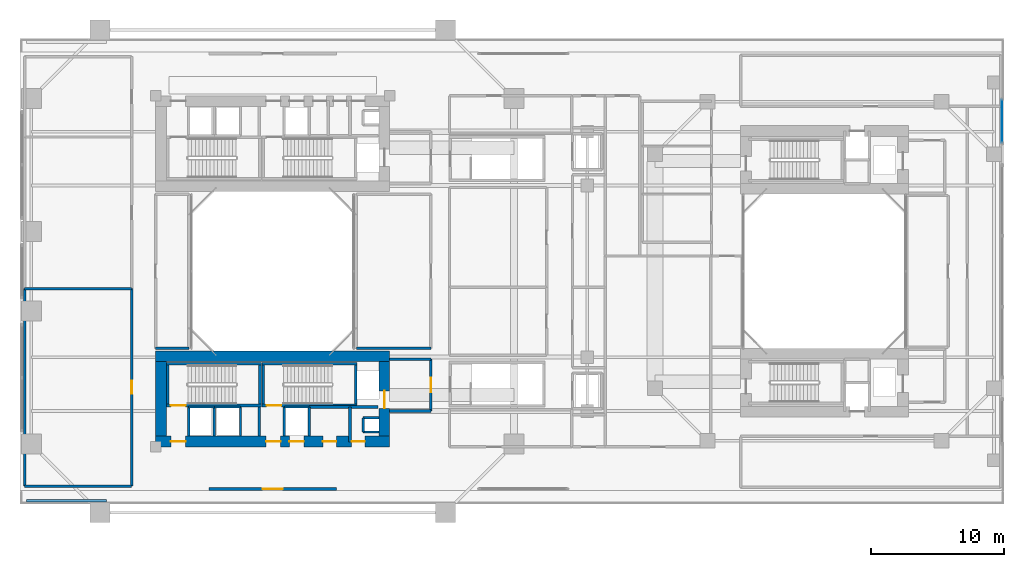
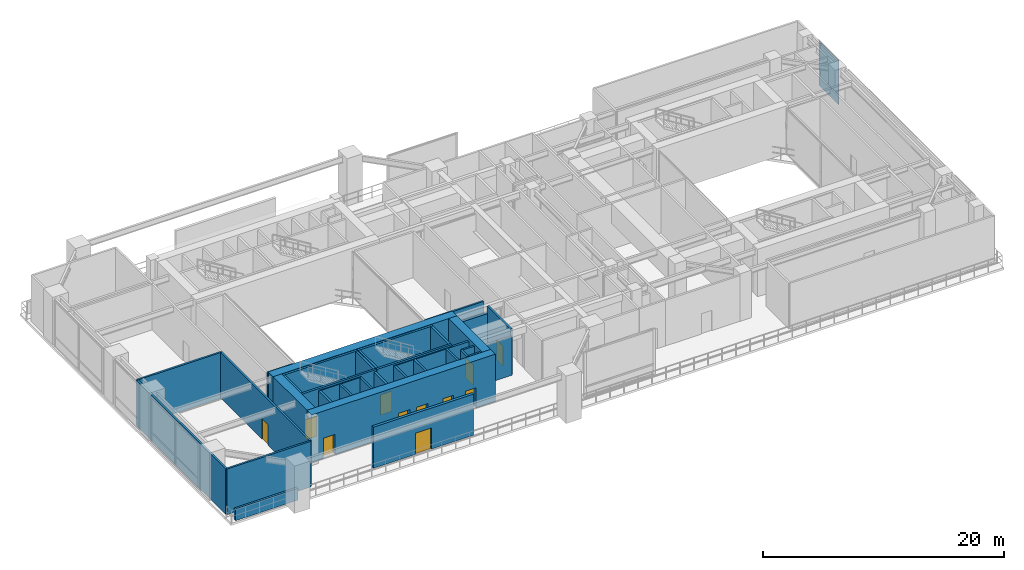
# One storey, part 11 of 19: 37 walls, 11 doors, 2 plates, 11 openings, 1 element without a shape of its own.
"""IFC4 building model written with IfcOpenShell, lengths in metres."""

from ifc_helpers import new_model, si_unit, direction, frame, frame_2d, origin, origin_2d, place, context, subcontext, project, spatial, rectangle, extrude, source, transform, mapped, material, layer, layer_set, type_object, element, fill, aggregate, save


model = new_model("IFC4")

# Units and contexts
model_context = context("Model", 3, precision=1e-05, world=origin(), true_north=direction((0.0, 1.0)))
body_context = subcontext(model_context, "Body", "Model", "MODEL_VIEW")
ifc_project = project(units=[si_unit("LENGTHUNIT", "METRE"), si_unit("AREAUNIT", "SQUARE_METRE"), si_unit("VOLUMEUNIT", "CUBIC_METRE"), si_unit("PLANEANGLEUNIT", "RADIAN"), si_unit("MASSUNIT", "GRAM", prefix="KILO"), si_unit("THERMODYNAMICTEMPERATUREUNIT", "KELVIN"), si_unit("POWERUNIT", "WATT")], contexts=[model_context])

# Site, building, storey
site_placement = place(None, origin())
site = spatial("IfcSite", under=ifc_project, at=site_placement, CompositionType="ELEMENT")
building_placement = place(site_placement, origin())
building = spatial("IfcBuilding", under=site, at=building_placement, Name="Qiaomeng Ring Towers", CompositionType="ELEMENT")
storey_placement = place(building_placement, frame((0.0, 0.0, 18.199951171875)))
storey = spatial("IfcBuildingStorey", under=building, at=storey_placement, Name="L04", CompositionType="ELEMENT", Elevation=18.199951171875)

# Curtain wall, plates
ifc_material_1 = material(Name="Fluorocarbon dark-grey aluminium", Category="aluminium")
ifc_layer_1 = layer(ifc_material_1, 0.179931640625, Name="Fluorocarbon dark-grey aluminium")
ifc_layer_set_1 = layer_set([ifc_layer_1], Name="Fluorocarbon dark-grey aluminium")
curtain_wall_type = type_object("IfcCurtainWallType", Name="ARC-CW-1", PredefinedType="NOTDEFINED", material=ifc_layer_set_1)
curtain_wall_placement = place(storey_placement, origin())
curtain_wall = element("IfcCurtainWall", 1, at=curtain_wall_placement, inside=storey, type_object=curtain_wall_type, Name="L04 Curtain Wall CW1", PredefinedType="NOTDEFINED")
ifc_material_2 = material(Name="Low-E pale-green laminated safety glass", Category="glass")
ifc_layer_2 = layer(ifc_material_2, 0.031982421875, Name="Low-E pale-green laminated safety glass")
ifc_layer_set_2 = layer_set([ifc_layer_2], Name="Low-E pale-green laminated safety glass")
plate_type = type_object("IfcPlateType", Name="ARC-CWP-GREEN", PredefinedType="CURTAIN_PANEL", material=ifc_layer_set_2)
shared_shape_1 = source(origin(), body_context, "Body", "SweptSolid", [
    extrude(rectangle(XDim=3.25, YDim=0.031982421875, at=origin_2d()), origin(), (0.0, 0.0, 1.0), 0.945068359375),
])
plate_1_placement = place(storey_placement, frame((73.85009765625, 34.294921875, 0.06982421875), z_axis=(0.0, 0.0, 1.0), x_axis=(0.0, 1.0, 0.0)))
plate_1 = element("IfcPlate", 2, at=plate_1_placement, type_object=plate_type, Name="CW1 panel 1.1", PredefinedType="CURTAIN_PANEL", context=body_context, shape_type="MappedRepresentation", body=[
    mapped(shared_shape_1, transform((0.0, 0.0, 0.0), x_axis=(1.0, 0.0, 0.0), y_axis=(0.0, 1.0, 0.0), z_axis=(0.0, 0.0, 1.0), scale=1.0)),
])
shared_shape_2 = source(origin(), body_context, "Body", "SweptSolid", [
    extrude(rectangle(XDim=3.25, YDim=0.031982421875, at=origin_2d()), origin(), (0.0, 0.0, 1.0), 3.465087890625),
])
plate_2_placement = place(storey_placement, frame((73.85009765625, 34.294921875, 1.0849609375), z_axis=(0.0, 0.0, 1.0), x_axis=(0.0, 1.0, 0.0)))
plate_2 = element("IfcPlate", 3, at=plate_2_placement, type_object=plate_type, Name="CW1 panel 1.2", PredefinedType="CURTAIN_PANEL", context=body_context, shape_type="MappedRepresentation", body=[
    mapped(shared_shape_2, transform((0.0, 0.0, 0.0), x_axis=(1.0, 0.0, 0.0), y_axis=(0.0, 1.0, 0.0), z_axis=(0.0, 0.0, 1.0), scale=1.0)),
])
aggregate(curtain_wall, [plate_1, plate_2])

# Wall, opening, door
ifc_material_3 = material(Name="Precast concrete C40", Category="concrete")
ifc_layer_3 = layer(ifc_material_3, 0.25, Name="Precast concrete C40")
ifc_layer_set_3 = layer_set([ifc_layer_3], Name="Precast concrete C40")
wall_type_1 = type_object("IfcWallType", Name="ARC-WL-EW1", PredefinedType="STANDARD", material=ifc_layer_set_3)
wall_1_placement = place(storey_placement, frame((14.199951171875, 6.625, 0.0), z_axis=(0.0, 0.0, 1.0), x_axis=(1.0, 0.0, 0.0)))
wall_1 = element("IfcWall", 4, at=wall_1_placement, inside=storey, type_object=wall_type_1, Name="L04 South Podium Wall", PredefinedType="STANDARD", context=body_context, shape_type="SweptSolid", body=[
    extrude(rectangle(XDim=9.60009765625, YDim=0.25, at=frame_2d((4.800048828125, 0.0))), origin(), (0.0, 0.0, 1.0), 4.16015625),
])
opening_1_placement = place(wall_1_placement, frame((4.050048828125, 0.0, 0.0)))
opening_1 = element("IfcOpeningElement", 5, at=opening_1_placement, cuts=wall_1, Name="Opening BD2", PredefinedType="OPENING", context=body_context, shape_type="SweptSolid", body=[
    extrude(rectangle(XDim=1.5, YDim=2.14990234375, at=frame_2d((0.75, 1.074951171875))), frame((0.0, 0.135009765625, 0.0), z_axis=(0.0, -1.0, 0.0), x_axis=(1.0, 0.0, 0.0)), (0.0, 0.0, 1.0), 0.27001953125),
])
door_type_1 = type_object("IfcDoorType", Name="ARC-DR-BD2", OperationType="NOTDEFINED", PredefinedType="DOOR", material=ifc_material_2)
shared_shape_3 = source(origin(), body_context, "Body", "SweptSolid", [
    extrude(rectangle(XDim=1.5, YDim=2.14990234375, at=frame_2d((0.75, 1.074951171875))), frame((0.0, 0.02490234375, 0.0), z_axis=(0.0, -1.0, 0.0), x_axis=(1.0, 0.0, 0.0)), (0.0, 0.0, 1.0), 0.050048828125),
])
door_1_placement = place(opening_1_placement, frame((1.5, 0.0, 0.0), z_axis=(0.0, 0.0, 1.0), x_axis=(-1.0, 0.0, 0.0)))
door_1 = element("IfcDoor", 6, at=door_1_placement, inside=storey, type_object=door_type_1, Name="L04 South Podium Terrace Door", OperationType="DOUBLE_DOOR_SINGLE_SWING", OverallHeight=2.14990234375, OverallWidth=1.5, PredefinedType="DOOR", context=body_context, shape_type="MappedRepresentation", body=[
    mapped(shared_shape_3, transform((0.0, 0.0, 0.0), x_axis=(1.0, 0.0, 0.0), y_axis=(0.0, 1.0, 0.0), z_axis=(0.0, 0.0, 1.0), scale=1.0)),
])
fill(opening_1, door_1)

# Walls
ifc_layer_4 = layer(ifc_material_3, 0.199951171875, Name="Precast concrete C40")
ifc_layer_set_4 = layer_set([ifc_layer_4], Name="Precast concrete C40")
wall_type_2 = type_object("IfcWallType", Name="ARC-WL-PP1", PredefinedType="PARAPET", material=ifc_layer_set_4)
wall_2_placement = place(storey_placement, frame((0.5, 5.75, 0.0), z_axis=(0.0, 0.0, 1.0), x_axis=(1.0, 0.0, 0.0)))
element("IfcWall", 7, at=wall_2_placement, inside=storey, type_object=wall_type_2, Name="L04 South Terrace Parapet PP1", PredefinedType="PARAPET", context=body_context, shape_type="SweptSolid", body=[
    extrude(rectangle(XDim=6.0, YDim=0.199951171875, at=frame_2d((3.0, 0.0))), origin(), (0.0, 0.0, 1.0), 1.199951171875),
])
ifc_material_4 = material(Name="Autoclaved aerated concrete block", Category="concrete")
ifc_layer_5 = layer(ifc_material_4, 0.199951171875, Name="Autoclaved aerated concrete block")
ifc_layer_set_5 = layer_set([ifc_layer_5], Name="Autoclaved aerated concrete block")
wall_type_3 = type_object("IfcWallType", Name="ARC-WL-PW1", PredefinedType="PARTITIONING", material=ifc_layer_set_5)
for number, where, z_axis, x_axis, name in (
    (8, (27.800048828125, 16.39990234375, 0.0), (0.0, 0.0, 1.0), (1.0, 0.0, 0.0), "L04 Interior Wall PW1"),
    (9, (27.800048828125, 12.5, 0.0), (0.0, 0.0, 1.0), (1.0, 0.0, 0.0), "L04 Interior Wall PW1"),
):
    element("IfcWall", number, at=place(storey_placement, frame(where, z_axis=z_axis, x_axis=x_axis)), inside=storey, type_object=wall_type_3, Name=name, PredefinedType="PARTITIONING", context=body_context, shape_type="SweptSolid", body=[
        extrude(rectangle(XDim=3.099853515625, YDim=0.199951171875, at=frame_2d((1.5498046875, 0.0))), origin(), (0.0, 0.0, 1.0), 3.9150390625),
    ])

# Wall, opening, door
wall_3_placement = place(storey_placement, frame((30.89990234375, 12.5, 0.0), z_axis=(0.0, 0.0, 1.0), x_axis=(0.0, 1.0, 0.0)))
wall_3 = element("IfcWall", 10, at=wall_3_placement, inside=storey, type_object=wall_type_3, Name="L04 Interior Wall PW1", PredefinedType="PARTITIONING", context=body_context, shape_type="SweptSolid", body=[
    extrude(rectangle(XDim=3.89990234375, YDim=0.199951171875, at=frame_2d((1.949951171875, 0.0))), origin(), (0.0, 0.0, 1.0), 4.6201171875),
])
opening_2_placement = place(wall_3_placement, frame((1.39990234375, 0.0, 0.0)))
opening_2 = element("IfcOpeningElement", 11, at=opening_2_placement, cuts=wall_3, Name="Opening FD3", PredefinedType="OPENING", context=body_context, shape_type="SweptSolid", body=[
    extrude(rectangle(XDim=1.10009765625, YDim=2.050048828125, at=frame_2d((0.550048828125, 1.02490234375))), frame((0.0, 0.10986328125, 0.0), z_axis=(0.0, -1.0, 0.0), x_axis=(1.0, 0.0, 0.0)), (0.0, 0.0, 1.0), 0.219970703125),
])
ifc_material_5 = material(Name="Galvanised steel", Category="steel")
door_type_2 = type_object("IfcDoorType", Name="ARC-DR-FD3", OperationType="NOTDEFINED", PredefinedType="DOOR", material=ifc_material_5)
shared_shape_4 = source(origin(), body_context, "Body", "SweptSolid", [
    extrude(rectangle(XDim=1.10009765625, YDim=2.050048828125, at=frame_2d((0.550048828125, 1.02490234375))), frame((0.0, 0.02490234375, 0.0), z_axis=(0.0, -1.0, 0.0), x_axis=(1.0, 0.0, 0.0)), (0.0, 0.0, 1.0), 0.050048828125),
])
door_2_placement = place(opening_2_placement, origin())
door_2 = element("IfcDoor", 12, at=door_2_placement, inside=storey, type_object=door_type_2, Name="L04 South FF Lobby Door", OperationType="SINGLE_SWING_RIGHT", OverallHeight=2.050048828125, OverallWidth=1.10009765625, PredefinedType="DOOR", context=body_context, shape_type="MappedRepresentation", body=[
    mapped(shared_shape_4, transform((0.0, 0.0, 0.0), x_axis=(1.0, 0.0, 0.0), y_axis=(0.0, 1.0, 0.0), z_axis=(0.0, 0.0, 1.0), scale=1.0)),
])
fill(opening_2, door_2)

# Walls
for number, where, z_axis, x_axis, name in (
    (13, (12.679931640625, 10.60009765625, 0.0), (0.0, 0.0, 1.0), (0.0, 1.0, 0.0), "L04 Interior Wall PW1"),
    (14, (18.0, 10.60009765625, 0.0), (0.0, 0.0, 1.0), (0.0, 1.0, 0.0), "L04 Interior Wall PW1"),
    (15, (19.8798828125, 10.60009765625, 0.0), (0.0, 0.0, 1.0), (0.0, 1.0, 0.0), "L04 Interior Wall PW1"),
):
    element("IfcWall", number, at=place(storey_placement, frame(where, z_axis=z_axis, x_axis=x_axis)), inside=storey, type_object=wall_type_3, Name=name, PredefinedType="PARTITIONING", context=body_context, shape_type="SweptSolid", body=[
        extrude(rectangle(XDim=2.2099609375, YDim=0.199951171875, at=frame_2d((1.10498046875, 0.0))), origin(), (0.0, 0.0, 1.0), 4.6201171875),
    ])
wall_4_placement = place(storey_placement, frame((24.820068359375, 10.14990234375, 0.0), z_axis=(0.0, 0.0, 1.0), x_axis=(0.0, 1.0, 0.0)))
element("IfcWall", 16, at=wall_4_placement, inside=storey, type_object=wall_type_3, Name="L04 Interior Wall PW1", PredefinedType="PARTITIONING", context=body_context, shape_type="SweptSolid", body=[
    extrude(rectangle(XDim=2.650146484375, YDim=0.199951171875, at=frame_2d((1.3251953125, 0.0))), origin(), (0.0, 0.0, 1.0), 4.6201171875),
])
wall_5_placement = place(storey_placement, frame((21.75, 10.60009765625, 0.0), z_axis=(0.0, 0.0, 1.0), x_axis=(0.0, 1.0, 0.0)))
element("IfcWall", 17, at=wall_5_placement, inside=storey, type_object=wall_type_3, Name="L04 Interior Wall PW1", PredefinedType="PARTITIONING", context=body_context, shape_type="SweptSolid", body=[
    extrude(rectangle(XDim=2.199951171875, YDim=0.199951171875, at=frame_2d((1.10009765625, 0.0))), origin(), (0.0, 0.0, 1.0), 4.6201171875),
])
wall_6_placement = place(storey_placement, frame((21.75, 12.800048828125, 0.0), z_axis=(0.0, 0.0, 1.0), x_axis=(1.0, 0.0, 0.0)))
element("IfcWall", 18, at=wall_6_placement, inside=storey, type_object=wall_type_3, Name="L04 Interior Wall PW1", PredefinedType="PARTITIONING", context=body_context, shape_type="SweptSolid", body=[
    extrude(rectangle(XDim=5.169921875, YDim=0.199951171875, at=frame_2d((2.5849609375, 0.0))), origin(), (0.0, 0.0, 1.0), 4.6201171875),
])
ifc_layer_6 = layer(ifc_material_4, 0.179931640625, Name="Autoclaved aerated concrete block")
ifc_layer_set_6 = layer_set([ifc_layer_6], Name="Autoclaved aerated concrete block")
wall_type_4 = type_object("IfcWallType", Name="ARC-WL-PW2", PredefinedType="PARTITIONING", material=ifc_layer_set_6)
for number, where, z_axis, x_axis, name in (
    (19, (0.35009765625, 6.85009765625, 0.0), (0.0, 0.0, 1.0), (1.0, 0.0, 0.0), "L04 Interior Wall PW2"),
    (20, (0.35009765625, 21.699951171875, 0.0), (0.0, 0.0, 1.0), (1.0, 0.0, 0.0), "L04 Interior Wall PW2"),
):
    element("IfcWall", number, at=place(storey_placement, frame(where, z_axis=z_axis, x_axis=x_axis)), inside=storey, type_object=wall_type_4, Name=name, PredefinedType="PARTITIONING", context=body_context, shape_type="SweptSolid", body=[
        extrude(rectangle(XDim=8.0498046875, YDim=0.179931640625, at=frame_2d((4.02490234375, 0.0))), origin(), (0.0, 0.0, 1.0), 4.6201171875),
    ])
wall_7_placement = place(storey_placement, frame((0.35009765625, 6.85009765625, 0.0), z_axis=(0.0, 0.0, 1.0), x_axis=(0.0, 1.0, 0.0)))
element("IfcWall", 21, at=wall_7_placement, inside=storey, type_object=wall_type_4, Name="L04 Interior Wall PW2", PredefinedType="PARTITIONING", context=body_context, shape_type="SweptSolid", body=[
    extrude(rectangle(XDim=14.849853515625, YDim=0.179931640625, at=frame_2d((7.4248046875, 0.0))), origin(), (0.0, 0.0, 1.0), 4.6201171875),
])

# Wall, opening, door
wall_8_placement = place(storey_placement, frame((8.39990234375, 6.85009765625, 0.0), z_axis=(0.0, 0.0, 1.0), x_axis=(0.0, 1.0, 0.0)))
wall_8 = element("IfcWall", 22, at=wall_8_placement, inside=storey, type_object=wall_type_4, Name="L04 Interior Wall PW2", PredefinedType="PARTITIONING", context=body_context, shape_type="SweptSolid", body=[
    extrude(rectangle(XDim=14.849853515625, YDim=0.179931640625, at=frame_2d((7.4248046875, 0.0))), origin(), (0.0, 0.0, 1.0), 4.6201171875),
])
opening_3_placement = place(wall_8_placement, frame((6.925048828125, 0.0, 0.0)))
opening_3 = element("IfcOpeningElement", 23, at=opening_3_placement, cuts=wall_8, Name="Opening FD4", PredefinedType="OPENING", context=body_context, shape_type="SweptSolid", body=[
    extrude(rectangle(XDim=1.0, YDim=2.050048828125, at=frame_2d((0.5, 1.02490234375))), frame((0.0, 0.099853515625, 0.0), z_axis=(0.0, -1.0, 0.0), x_axis=(1.0, 0.0, 0.0)), (0.0, 0.0, 1.0), 0.199951171875),
])
ifc_material_6 = material(Name="Engineered fire-rated oak timber", Category="wood")
door_type_3 = type_object("IfcDoorType", Name="ARC-DR-FD4", OperationType="NOTDEFINED", PredefinedType="DOOR", material=ifc_material_6)
shared_shape_5 = source(origin(), body_context, "Body", "SweptSolid", [
    extrude(rectangle(XDim=1.0, YDim=2.050048828125, at=frame_2d((0.5, 1.02490234375))), frame((0.0, 0.02490234375, 0.0), z_axis=(0.0, -1.0, 0.0), x_axis=(1.0, 0.0, 0.0)), (0.0, 0.0, 1.0), 0.050048828125),
])
door_3_placement = place(opening_3_placement, origin())
door_3 = element("IfcDoor", 24, at=door_3_placement, inside=storey, type_object=door_type_3, Name="L04 L04 General Practice Clinic Door", OperationType="SINGLE_SWING_LEFT", OverallHeight=2.050048828125, OverallWidth=1.0, PredefinedType="DOOR", context=body_context, shape_type="MappedRepresentation", body=[
    mapped(shared_shape_5, transform((0.0, 0.0, 0.0), x_axis=(1.0, 0.0, 0.0), y_axis=(0.0, 1.0, 0.0), z_axis=(0.0, 0.0, 1.0), scale=1.0)),
])
fill(opening_3, door_3)

# Walls
wall_9_placement = place(storey_placement, frame((10.199951171875, 17.199951171875, 0.0), z_axis=(0.0, 0.0, 1.0), x_axis=(1.0, 0.0, 0.0)))
element("IfcWall", 25, at=wall_9_placement, inside=storey, type_object=wall_type_4, Name="L04 Interior Wall PW2", PredefinedType="PARTITIONING", context=body_context, shape_type="SweptSolid", body=[
    extrude(rectangle(XDim=2.5, YDim=0.179931640625, at=frame_2d((1.25, 0.0))), origin(), (0.0, 0.0, 1.0), 4.6201171875),
])
wall_10_placement = place(storey_placement, frame((25.300048828125, 17.199951171875, 0.0), z_axis=(0.0, 0.0, 1.0), x_axis=(1.0, 0.0, 0.0)))
element("IfcWall", 26, at=wall_10_placement, inside=storey, type_object=wall_type_4, Name="L04 Interior Wall PW2", PredefinedType="PARTITIONING", context=body_context, shape_type="SweptSolid", body=[
    extrude(rectangle(XDim=5.599853515625, YDim=0.179931640625, at=frame_2d((2.7998046875, 0.0))), origin(), (0.0, 0.0, 1.0), 4.6201171875),
])
ifc_material_7 = material(Name="Concrete C40", Category="concrete")
ifc_layer_7 = layer(ifc_material_7, 0.199951171875, Name="Concrete C40")
ifc_layer_set_7 = layer_set([ifc_layer_7], Name="Concrete C40")
wall_type_5 = type_object("IfcWallType", Name="STR-WL-STSHAFT", PredefinedType="SHEAR", material=ifc_layer_set_7)
wall_11_placement = place(storey_placement, frame((12.679931640625, 12.800048828125, 0.0), z_axis=(0.0, 0.0, 1.0), x_axis=(1.0, 0.0, 0.0)))
element("IfcWall", 27, at=wall_11_placement, inside=storey, type_object=wall_type_5, Name="L04 Lift LP6 Shaft Back Wall", PredefinedType="SHEAR", context=body_context, shape_type="SweptSolid", body=[
    extrude(rectangle(XDim=1.940185546875, YDim=0.179931640625, at=frame_2d((0.97021484375, 0.0))), origin(), (0.0, 0.0, 1.0), 4.6201171875),
])
wall_12_placement = place(storey_placement, frame((14.6201171875, 10.60009765625, 0.0), z_axis=(0.0, 0.0, 1.0), x_axis=(0.0, 1.0, 0.0)))
element("IfcWall", 28, at=wall_12_placement, inside=storey, type_object=wall_type_5, Name="L04 Lift LP6-LP4 Shaft Divider Wall", PredefinedType="SHEAR", context=body_context, shape_type="SweptSolid", body=[
    extrude(rectangle(XDim=2.199951171875, YDim=0.179931640625, at=frame_2d((1.10009765625, 0.0))), origin(), (0.0, 0.0, 1.0), 4.6201171875),
])
wall_13_placement = place(storey_placement, frame((25.800048828125, 10.919921875, 0.0), z_axis=(0.0, 0.0, 1.0), x_axis=(0.0, 1.0, 0.0)))
element("IfcWall", 29, at=wall_13_placement, inside=storey, type_object=wall_type_5, Name="L04 Riser RSR1 West Shaft Wall S", PredefinedType="SHEAR", context=body_context, shape_type="SweptSolid", body=[
    extrude(rectangle(XDim=1.06005859375, YDim=0.179931640625, at=frame_2d((0.530029296875, 0.0))), origin(), (0.0, 0.0, 1.0), 4.6201171875),
])
for number, where, z_axis, x_axis, name in (
    (30, (25.800048828125, 11.97998046875, 0.0), (0.0, 0.0, 1.0), (1.0, 0.0, 0.0), "L04 Riser RSR1 North Shaft Wall S"),
    (31, (25.800048828125, 10.919921875, 0.0), (0.0, 0.0, 1.0), (1.0, 0.0, 0.0), "L04 Riser RSR1 South Shaft Wall S"),
):
    element("IfcWall", number, at=place(storey_placement, frame(where, z_axis=z_axis, x_axis=x_axis)), inside=storey, type_object=wall_type_5, Name=name, PredefinedType="SHEAR", context=body_context, shape_type="SweptSolid", body=[
        extrude(rectangle(XDim=1.199951171875, YDim=0.179931640625, at=frame_2d((0.60009765625, 0.0))), origin(), (0.0, 0.0, 1.0), 4.6201171875),
    ])
wall_14_placement = place(storey_placement, frame((14.6201171875, 12.800048828125, 0.0), z_axis=(0.0, 0.0, 1.0), x_axis=(1.0, 0.0, 0.0)))
element("IfcWall", 32, at=wall_14_placement, inside=storey, type_object=wall_type_5, Name="L04 Lift LP4 Shaft Back Wall", PredefinedType="SHEAR", context=body_context, shape_type="SweptSolid", body=[
    extrude(rectangle(XDim=1.9599609375, YDim=0.179931640625, at=frame_2d((0.97998046875, 0.0))), origin(), (0.0, 0.0, 1.0), 4.6201171875),
])
wall_15_placement = place(storey_placement, frame((16.580078125, 10.60009765625, 0.0), z_axis=(0.0, 0.0, 1.0), x_axis=(0.0, 1.0, 0.0)))
element("IfcWall", 33, at=wall_15_placement, inside=storey, type_object=wall_type_5, Name="L04 Lift LP4 East Shaft Wall", PredefinedType="SHEAR", context=body_context, shape_type="SweptSolid", body=[
    extrude(rectangle(XDim=2.199951171875, YDim=0.179931640625, at=frame_2d((1.10009765625, 0.0))), origin(), (0.0, 0.0, 1.0), 4.6201171875),
])
wall_16_placement = place(storey_placement, frame((19.8798828125, 12.800048828125, 0.0), z_axis=(0.0, 0.0, 1.0), x_axis=(1.0, 0.0, 0.0)))
element("IfcWall", 34, at=wall_16_placement, inside=storey, type_object=wall_type_5, Name="L04 Lift LP2 Shaft Back Wall", PredefinedType="SHEAR", context=body_context, shape_type="SweptSolid", body=[
    extrude(rectangle(XDim=1.8701171875, YDim=0.179931640625, at=frame_2d((0.93505859375, 0.0))), origin(), (0.0, 0.0, 1.0), 4.6201171875),
])

# Wall, opening, door
wall_17_placement = place(storey_placement, frame((11.0, 12.909912109375, 0.0), z_axis=(0.0, 0.0, 1.0), x_axis=(1.0, 0.0, 0.0)))
wall_17 = element("IfcWall", 35, at=wall_17_placement, inside=storey, type_object=wall_type_5, Name="L04 Stair ST3 South Shaft Shear Wall", PredefinedType="SHEAR", context=body_context, shape_type="SweptSolid", body=[
    extrude(rectangle(XDim=7.14990234375, YDim=0.199951171875, at=frame_2d((3.574951171875, 0.0))), origin(), (0.0, 0.0, 1.0), 4.800048828125),
])
opening_4_placement = place(wall_17_placement, frame((0.35009765625, 0.0, 0.0)))
opening_4 = element("IfcOpeningElement", 36, at=opening_4_placement, cuts=wall_17, Name="Opening FD3", PredefinedType="OPENING", context=body_context, shape_type="SweptSolid", body=[
    extrude(rectangle(XDim=1.10009765625, YDim=2.050048828125, at=frame_2d((0.550048828125, 1.02490234375))), frame((0.0, 0.10986328125, 0.0), z_axis=(0.0, -1.0, 0.0), x_axis=(1.0, 0.0, 0.0)), (0.0, 0.0, 1.0), 0.219970703125),
])
door_4_placement = place(opening_4_placement, frame((1.10009765625, 0.0, 0.0), z_axis=(0.0, 0.0, 1.0), x_axis=(-1.0, 0.0, 0.0)))
door_4 = element("IfcDoor", 37, at=door_4_placement, inside=storey, type_object=door_type_2, Name="L04 Stair ST3 Exit Door", OperationType="SINGLE_SWING_RIGHT", OverallHeight=2.050048828125, OverallWidth=1.10009765625, PredefinedType="DOOR", context=body_context, shape_type="MappedRepresentation", body=[
    mapped(shared_shape_4, transform((0.0, 0.0, 0.0), x_axis=(1.0, 0.0, 0.0), y_axis=(0.0, 1.0, 0.0), z_axis=(0.0, 0.0, 1.0), scale=1.0)),
])
fill(opening_4, door_4)

# Walls
wall_18_placement = place(storey_placement, frame((11.0, 16.050048828125, 0.0), z_axis=(0.0, 0.0, 1.0), x_axis=(1.0, 0.0, 0.0)))
element("IfcWall", 38, at=wall_18_placement, inside=storey, type_object=wall_type_5, Name="L04 Stair ST3 North Shaft Shear Wall", PredefinedType="SHEAR", context=body_context, shape_type="SweptSolid", body=[
    extrude(rectangle(XDim=7.14990234375, YDim=0.199951171875, at=frame_2d((3.574951171875, 0.0))), origin(), (0.0, 0.0, 1.0), 4.800048828125),
])
for number, where, z_axis, x_axis, name in (
    (39, (11.10009765625, 13.010009765625, 0.0), (0.0, 0.0, 1.0), (0.0, 1.0, 0.0), "L04 Stair ST3 West Shaft Shear Wall"),
    (40, (18.050048828125, 13.010009765625, 0.0), (0.0, 0.0, 1.0), (0.0, 1.0, 0.0), "L04 Stair ST3 East Shaft Shear Wall"),
):
    element("IfcWall", number, at=place(storey_placement, frame(where, z_axis=z_axis, x_axis=x_axis)), inside=storey, type_object=wall_type_5, Name=name, PredefinedType="SHEAR", context=body_context, shape_type="SweptSolid", body=[
        extrude(rectangle(XDim=2.93994140625, YDim=0.199951171875, at=frame_2d((1.469970703125, 0.0))), origin(), (0.0, 0.0, 1.0), 4.800048828125),
    ])

# Wall, opening, door
wall_19_placement = place(storey_placement, frame((18.199951171875, 12.909912109375, 0.0), z_axis=(0.0, 0.0, 1.0), x_axis=(1.0, 0.0, 0.0)))
wall_19 = element("IfcWall", 41, at=wall_19_placement, inside=storey, type_object=wall_type_5, Name="L04 Stair ST4 South Shaft Shear Wall", PredefinedType="SHEAR", context=body_context, shape_type="SweptSolid", body=[
    extrude(rectangle(XDim=7.150146484375, YDim=0.199951171875, at=frame_2d((3.5751953125, 0.0))), origin(), (0.0, 0.0, 1.0), 4.800048828125),
])
opening_5_placement = place(wall_19_placement, frame((0.35009765625, 0.0, 0.0)))
opening_5 = element("IfcOpeningElement", 42, at=opening_5_placement, cuts=wall_19, Name="Opening FD3", PredefinedType="OPENING", context=body_context, shape_type="SweptSolid", body=[
    extrude(rectangle(XDim=1.10009765625, YDim=2.050048828125, at=frame_2d((0.550048828125, 1.02490234375))), frame((0.0, 0.10986328125, 0.0), z_axis=(0.0, -1.0, 0.0), x_axis=(1.0, 0.0, 0.0)), (0.0, 0.0, 1.0), 0.219970703125),
])
door_5_placement = place(opening_5_placement, frame((1.10009765625, 0.0, 0.0), z_axis=(0.0, 0.0, 1.0), x_axis=(-1.0, 0.0, 0.0)))
door_5 = element("IfcDoor", 43, at=door_5_placement, inside=storey, type_object=door_type_2, Name="L04 Stair ST4 Exit Door", OperationType="SINGLE_SWING_RIGHT", OverallHeight=2.050048828125, OverallWidth=1.10009765625, PredefinedType="DOOR", context=body_context, shape_type="MappedRepresentation", body=[
    mapped(shared_shape_4, transform((0.0, 0.0, 0.0), x_axis=(1.0, 0.0, 0.0), y_axis=(0.0, 1.0, 0.0), z_axis=(0.0, 0.0, 1.0), scale=1.0)),
])
fill(opening_5, door_5)

# Walls
wall_20_placement = place(storey_placement, frame((18.199951171875, 16.050048828125, 0.0), z_axis=(0.0, 0.0, 1.0), x_axis=(1.0, 0.0, 0.0)))
element("IfcWall", 44, at=wall_20_placement, inside=storey, type_object=wall_type_5, Name="L04 Stair ST4 North Shaft Shear Wall", PredefinedType="SHEAR", context=body_context, shape_type="SweptSolid", body=[
    extrude(rectangle(XDim=7.150146484375, YDim=0.199951171875, at=frame_2d((3.5751953125, 0.0))), origin(), (0.0, 0.0, 1.0), 4.800048828125),
])
for number, where, z_axis, x_axis, name in (
    (45, (18.300048828125, 13.010009765625, 0.0), (0.0, 0.0, 1.0), (0.0, 1.0, 0.0), "L04 Stair ST4 West Shaft Shear Wall"),
    (46, (25.25, 13.010009765625, 0.0), (0.0, 0.0, 1.0), (0.0, 1.0, 0.0), "L04 Stair ST4 East Shaft Shear Wall"),
):
    element("IfcWall", number, at=place(storey_placement, frame(where, z_axis=z_axis, x_axis=x_axis)), inside=storey, type_object=wall_type_5, Name=name, PredefinedType="SHEAR", context=body_context, shape_type="SweptSolid", body=[
        extrude(rectangle(XDim=2.93994140625, YDim=0.199951171875, at=frame_2d((1.469970703125, 0.0))), origin(), (0.0, 0.0, 1.0), 4.800048828125),
    ])

# Wall, openings, doors
ifc_material_8 = material(Name="Concrete C60", Category="concrete")
ifc_layer_8 = layer(ifc_material_8, 0.800048828125, Name="Concrete C60")
ifc_layer_set_8 = layer_set([ifc_layer_8], Name="Concrete C60")
wall_type_6 = type_object("IfcWallType", Name="STR-WL-SW1", PredefinedType="SHEAR", material=ifc_layer_set_8)
wall_21_placement = place(storey_placement, frame((10.199951171875, 10.199951171875, 0.0), z_axis=(0.0, 0.0, 1.0), x_axis=(1.0, 0.0, 0.0)))
wall_21 = element("IfcWall", 47, at=wall_21_placement, inside=storey, type_object=wall_type_6, Name="L04 T1SC south core shear wall", PredefinedType="SHEAR", context=body_context, shape_type="SweptSolid", body=[
    extrude(rectangle(XDim=17.60009765625, YDim=0.800048828125, at=frame_2d((8.800048828125, 0.0))), origin(), (0.0, 0.0, 1.0), 4.800048828125),
])
opening_6_placement = place(wall_21_placement, frame((1.14990234375, 0.0, 0.0)))
opening_6 = element("IfcOpeningElement", 48, at=opening_6_placement, cuts=wall_21, Name="Opening FD3", PredefinedType="OPENING", context=body_context, shape_type="SweptSolid", body=[
    extrude(rectangle(XDim=1.10009765625, YDim=2.050048828125, at=frame_2d((0.550048828125, 1.02490234375))), frame((0.0, 0.409912109375, 0.0), z_axis=(0.0, -1.0, 0.0), x_axis=(1.0, 0.0, 0.0)), (0.0, 0.0, 1.0), 0.820068359375),
])
opening_7_placement = place(wall_21_placement, frame((8.300048828125, 0.0, 0.0)))
opening_7 = element("IfcOpeningElement", 49, at=opening_7_placement, cuts=wall_21, Name="Opening FD3", PredefinedType="OPENING", context=body_context, shape_type="SweptSolid", body=[
    extrude(rectangle(XDim=1.10009765625, YDim=2.050048828125, at=frame_2d((0.550048828125, 1.02490234375))), frame((0.0, 0.409912109375, 0.0), z_axis=(0.0, -1.0, 0.0), x_axis=(1.0, 0.0, 0.0)), (0.0, 0.0, 1.0), 0.820068359375),
])
opening_8_placement = place(wall_21_placement, frame((10.050048828125, 0.0, 0.0)))
opening_8 = element("IfcOpeningElement", 50, at=opening_8_placement, cuts=wall_21, Name="Opening LD1", PredefinedType="OPENING", context=body_context, shape_type="SweptSolid", body=[
    extrude(rectangle(XDim=1.10009765625, YDim=2.050048828125, at=frame_2d((0.550048828125, 1.02490234375))), frame((0.0, 0.409912109375, 0.0), z_axis=(0.0, -1.0, 0.0), x_axis=(1.0, 0.0, 0.0)), (0.0, 0.0, 1.0), 0.820068359375),
])
opening_9_placement = place(wall_21_placement, frame((14.739990234375, 0.0, 0.0)))
opening_9 = element("IfcOpeningElement", 51, at=opening_9_placement, cuts=wall_21, Name="Opening FD1", PredefinedType="OPENING", context=body_context, shape_type="SweptSolid", body=[
    extrude(rectangle(XDim=1.0, YDim=2.050048828125, at=frame_2d((0.5, 1.02490234375))), frame((0.0, 0.409912109375, 0.0), z_axis=(0.0, -1.0, 0.0), x_axis=(1.0, 0.0, 0.0)), (0.0, 0.0, 1.0), 0.820068359375),
])
opening_10_placement = place(wall_21_placement, frame((12.5849609375, 0.0, 0.0)))
opening_10 = element("IfcOpeningElement", 52, at=opening_10_placement, cuts=wall_21, Name="Opening FD1", PredefinedType="OPENING", context=body_context, shape_type="SweptSolid", body=[
    extrude(rectangle(XDim=1.0, YDim=2.050048828125, at=frame_2d((0.5, 1.02490234375))), frame((0.0, 0.409912109375, 0.0), z_axis=(0.0, -1.0, 0.0), x_axis=(1.0, 0.0, 0.0)), (0.0, 0.0, 1.0), 0.820068359375),
])
door_6_placement = place(opening_6_placement, origin())
door_6 = element("IfcDoor", 53, at=door_6_placement, inside=storey, type_object=door_type_2, Name="L04 Stair ST3 Lobby Door", OperationType="SINGLE_SWING_LEFT", OverallHeight=2.050048828125, OverallWidth=1.10009765625, PredefinedType="DOOR", context=body_context, shape_type="MappedRepresentation", body=[
    mapped(shared_shape_4, transform((0.0, 0.0, 0.0), x_axis=(1.0, 0.0, 0.0), y_axis=(0.0, 1.0, 0.0), z_axis=(0.0, 0.0, 1.0), scale=1.0)),
])
fill(opening_6, door_6)
door_7_placement = place(opening_7_placement, origin())
door_7 = element("IfcDoor", 54, at=door_7_placement, inside=storey, type_object=door_type_2, Name="L04 Stair ST4 Lobby Door", OperationType="SINGLE_SWING_LEFT", OverallHeight=2.050048828125, OverallWidth=1.10009765625, PredefinedType="DOOR", context=body_context, shape_type="MappedRepresentation", body=[
    mapped(shared_shape_4, transform((0.0, 0.0, 0.0), x_axis=(1.0, 0.0, 0.0), y_axis=(0.0, 1.0, 0.0), z_axis=(0.0, 0.0, 1.0), scale=1.0)),
])
fill(opening_7, door_7)
ifc_material_9 = material(Name="Stainless steel 316", Category="steel")
door_type_4 = type_object("IfcDoorType", Name="ARC-DR-LD1", OperationType="NOTDEFINED", PredefinedType="DOOR", material=ifc_material_9)
door_8_placement = place(opening_8_placement, origin())
door_8 = element("IfcDoor", 55, at=door_8_placement, inside=storey, type_object=door_type_4, Name="L04 Low-Zone Lift LP2 Landing Door", OperationType="SLIDING_TO_RIGHT", OverallHeight=2.050048828125, OverallWidth=1.10009765625, PredefinedType="DOOR", context=body_context, shape_type="MappedRepresentation", body=[
    mapped(shared_shape_4, transform((0.0, 0.0, 0.0), x_axis=(1.0, 0.0, 0.0), y_axis=(0.0, 1.0, 0.0), z_axis=(0.0, 0.0, 1.0), scale=1.0)),
])
fill(opening_8, door_8)
door_type_5 = type_object("IfcDoorType", Name="ARC-DR-FD1", OperationType="NOTDEFINED", PredefinedType="DOOR", material=ifc_material_5)
door_9_placement = place(opening_9_placement, origin())
door_9 = element("IfcDoor", 56, at=door_9_placement, inside=storey, type_object=door_type_5, Name="L04 South Electrical Riser Door", OperationType="SINGLE_SWING_RIGHT", OverallHeight=2.050048828125, OverallWidth=1.0, PredefinedType="DOOR", context=body_context, shape_type="MappedRepresentation", body=[
    mapped(shared_shape_5, transform((0.0, 0.0, 0.0), x_axis=(1.0, 0.0, 0.0), y_axis=(0.0, 1.0, 0.0), z_axis=(0.0, 0.0, 1.0), scale=1.0)),
])
fill(opening_9, door_9)
door_10_placement = place(opening_10_placement, origin())
door_10 = element("IfcDoor", 57, at=door_10_placement, inside=storey, type_object=door_type_5, Name="L04 South Building Management Office Door", OperationType="SINGLE_SWING_LEFT", OverallHeight=2.050048828125, OverallWidth=1.0, PredefinedType="DOOR", context=body_context, shape_type="MappedRepresentation", body=[
    mapped(shared_shape_5, transform((0.0, 0.0, 0.0), x_axis=(1.0, 0.0, 0.0), y_axis=(0.0, 1.0, 0.0), z_axis=(0.0, 0.0, 1.0), scale=1.0)),
])
fill(opening_10, door_10)

# Walls
wall_22_placement = place(storey_placement, frame((10.199951171875, 16.60009765625, 0.0), z_axis=(0.0, 0.0, 1.0), x_axis=(1.0, 0.0, 0.0)))
element("IfcWall", 58, at=wall_22_placement, inside=storey, type_object=wall_type_6, Name="L04 T1SC north core shear wall", PredefinedType="SHEAR", context=body_context, shape_type="SweptSolid", body=[
    extrude(rectangle(XDim=17.60009765625, YDim=0.800048828125, at=frame_2d((8.800048828125, 0.0))), origin(), (0.0, 0.0, 1.0), 4.800048828125),
])
wall_23_placement = place(storey_placement, frame((10.60009765625, 10.60009765625, 0.0), z_axis=(0.0, 0.0, 1.0), x_axis=(0.0, 1.0, 0.0)))
element("IfcWall", 59, at=wall_23_placement, inside=storey, type_object=wall_type_6, Name="L04 T1SC west core shear wall", PredefinedType="SHEAR", context=body_context, shape_type="SweptSolid", body=[
    extrude(rectangle(XDim=5.599853515625, YDim=0.800048828125, at=frame_2d((2.7998046875, 0.0))), origin(), (0.0, 0.0, 1.0), 4.800048828125),
])

# Wall, opening, door
wall_24_placement = place(storey_placement, frame((27.39990234375, 10.60009765625, 0.0), z_axis=(0.0, 0.0, 1.0), x_axis=(0.0, 1.0, 0.0)))
wall_24 = element("IfcWall", 60, at=wall_24_placement, inside=storey, type_object=wall_type_6, Name="L04 T1SC east core shear wall", PredefinedType="SHEAR", context=body_context, shape_type="SweptSolid", body=[
    extrude(rectangle(XDim=5.599853515625, YDim=0.800048828125, at=frame_2d((2.7998046875, 0.0))), origin(), (0.0, 0.0, 1.0), 4.800048828125),
])
opening_11_placement = place(wall_24_placement, frame((2.10009765625, 0.0, 0.0)))
opening_11 = element("IfcOpeningElement", 61, at=opening_11_placement, cuts=wall_24, Name="Opening LD2", PredefinedType="OPENING", context=body_context, shape_type="SweptSolid", body=[
    extrude(rectangle(XDim=1.300048828125, YDim=2.050048828125, at=frame_2d((0.64990234375, 1.02490234375))), frame((0.0, 0.409912109375, 0.0), z_axis=(0.0, -1.0, 0.0), x_axis=(1.0, 0.0, 0.0)), (0.0, 0.0, 1.0), 0.820068359375),
])
door_type_6 = type_object("IfcDoorType", Name="ARC-DR-LD2", OperationType="NOTDEFINED", PredefinedType="DOOR", material=ifc_material_9)
shared_shape_6 = source(origin(), body_context, "Body", "SweptSolid", [
    extrude(rectangle(XDim=1.300048828125, YDim=2.050048828125, at=frame_2d((0.64990234375, 1.02490234375))), frame((0.0, 0.02490234375, 0.0), z_axis=(0.0, -1.0, 0.0), x_axis=(1.0, 0.0, 0.0)), (0.0, 0.0, 1.0), 0.050048828125),
])
door_11_placement = place(opening_11_placement, origin())
door_11 = element("IfcDoor", 62, at=door_11_placement, inside=storey, type_object=door_type_6, Name="L04 Firefighting Lift FL2 Landing Door", OperationType="SLIDING_TO_RIGHT", OverallHeight=2.050048828125, OverallWidth=1.300048828125, PredefinedType="DOOR", context=body_context, shape_type="MappedRepresentation", body=[
    mapped(shared_shape_6, transform((0.0, 0.0, 0.0), x_axis=(1.0, 0.0, 0.0), y_axis=(0.0, 1.0, 0.0), z_axis=(0.0, 0.0, 1.0), scale=1.0)),
])
fill(opening_11, door_11)

save(model, "model.ifc")
